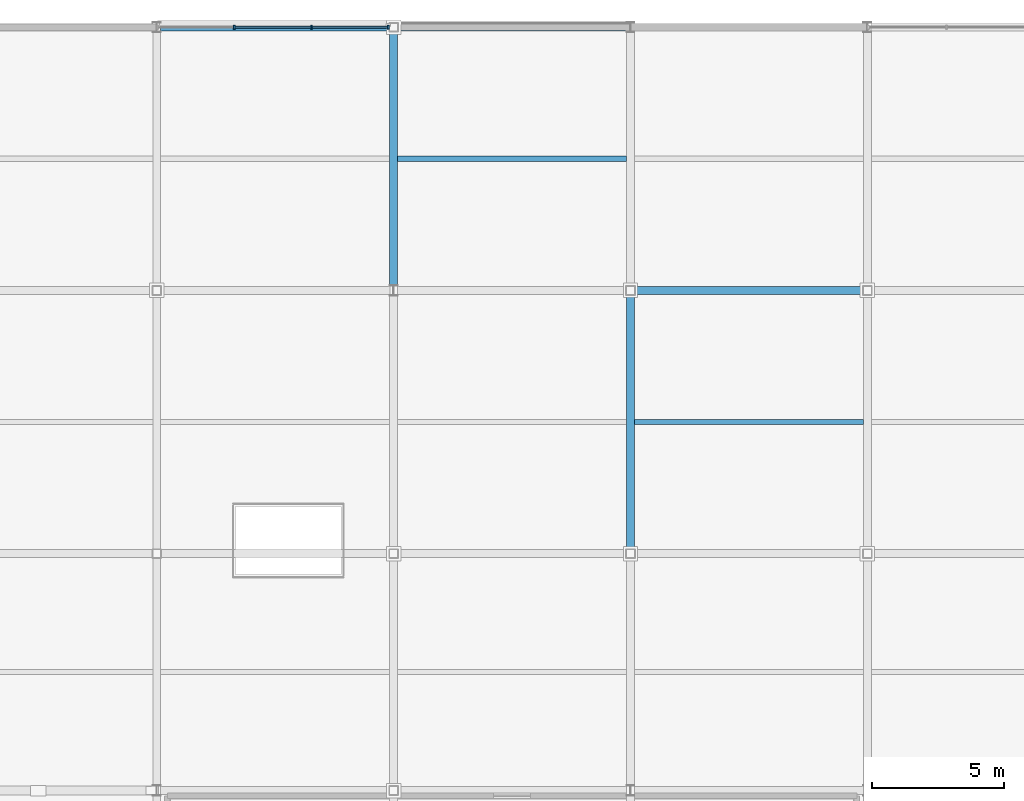
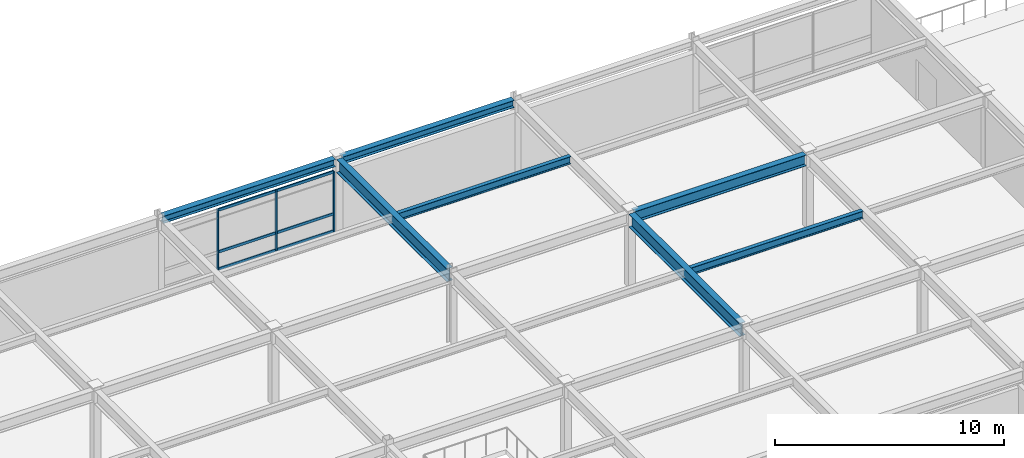
# One storey, part 24 of 40: 9 members, 7 beams, 1 element without a shape of its own.
"""IFC4 building model written with IfcOpenShell, lengths in metres."""

from ifc_helpers import new_model, si_unit, direction, frame, origin, origin_2d, place, context, subcontext, project, spatial, rectangle, i_section, extrude, material, material_profile, profile_set, type_object, element, aggregate, save


model = new_model("IFC4")

# Units and contexts
model_context = context("Model", 3, precision=1e-05, world=origin(), true_north=direction((0.0, 1.0)))
body_context = subcontext(model_context, "Body", "Model", "MODEL_VIEW")
ifc_project = project(units=[si_unit("LENGTHUNIT", "METRE"), si_unit("AREAUNIT", "SQUARE_METRE"), si_unit("VOLUMEUNIT", "CUBIC_METRE"), si_unit("PLANEANGLEUNIT", "RADIAN"), si_unit("MASSUNIT", "GRAM", prefix="KILO")], contexts=[model_context])

# Site, building, storey
site_placement = place(None, origin())
site = spatial("IfcSite", under=ifc_project, at=site_placement, CompositionType="ELEMENT")
building_placement = place(site_placement, origin())
building = spatial("IfcBuilding", under=site, at=building_placement, Name="Suzunagisa Mobility Hub", CompositionType="ELEMENT")
storey_placement = place(building_placement, frame((0.0, 0.0, 21.89990234375)))
storey = spatial("IfcBuildingStorey", under=building, at=storey_placement, Name="L05", CompositionType="ELEMENT", Elevation=21.89990234375)

# Curtain wall, members
ifc_material_1 = material(Name="Thermally Broken Anodized Aluminum and Low-E Glazing", Category="aluminium")
curtain_wall_type = type_object("IfcCurtainWallType", Name="Unitised Curtain Wall CW-13 8750x3200", PredefinedType="USERDEFINED", material=ifc_material_1)
curtain_wall_placement = place(storey_placement, origin())
curtain_wall = element("IfcCurtainWall", 1, at=curtain_wall_placement, inside=storey, type_object=curtain_wall_type, Name="L05 Unitised Curtain Wall CW-138", ObjectType="UNITISED CURTAIN WALL", PredefinedType="USERDEFINED")
ifc_material_2 = material(Name="Anodized Aluminum 6063-T6", Category="aluminium")
ifc_material_profile_1 = material_profile(ifc_material_2, rectangle(XDim=0.06494140625, YDim=0.139892578125, at=origin_2d()), Name="TRAN-65x140")
ifc_profile_set_1 = profile_set([ifc_material_profile_1], Name="Anodized Aluminum 6063-T6")
member_type_1 = type_object("IfcMemberType", Name="Curtain Wall Framing CM-01 TRAN-65x140", PredefinedType="USERDEFINED", material=ifc_profile_set_1)
member_1_placement = place(storey_placement, frame((71.76708984375, 118.0, 0.03271484375), z_axis=(-1.0, 0.0, 0.0), x_axis=(0.0, -1.0, 0.0)))
member_1 = element("IfcMember", 2, at=member_1_placement, type_object=member_type_1, Name="Curtain Wall Transom 138-T1.1", ObjectType="TRANSOM", PredefinedType="USERDEFINED", context=body_context, shape_type="SweptSolid", body=[
    extrude(rectangle(XDim=0.06494140625, YDim=0.139892578125, at=origin_2d()), origin(), (0.0, 0.0, 1.0), 2.854248046875),
])
member_2_placement = place(storey_placement, frame((71.76708984375, 118.0, 0.9501953125), z_axis=(-1.0, 0.0, 0.0), x_axis=(0.0, -1.0, 0.0)))
member_2 = element("IfcMember", 3, at=member_2_placement, type_object=member_type_1, Name="Curtain Wall Transom 138-T1.2", ObjectType="TRANSOM", PredefinedType="USERDEFINED", context=body_context, shape_type="SweptSolid", body=[
    extrude(rectangle(XDim=0.06494140625, YDim=0.139892578125, at=origin_2d()), origin(), (0.0, 0.0, 1.0), 2.854248046875),
])
member_3_placement = place(storey_placement, frame((71.76708984375, 118.0, 3.1875), z_axis=(-1.0, 0.0, 0.0), x_axis=(0.0, -1.0, 0.0)))
member_3 = element("IfcMember", 4, at=member_3_placement, type_object=member_type_1, Name="Curtain Wall Transom 138-T1.3", ObjectType="TRANSOM", PredefinedType="USERDEFINED", context=body_context, shape_type="SweptSolid", body=[
    extrude(rectangle(XDim=0.06494140625, YDim=0.139892578125, at=origin_2d()), origin(), (0.0, 0.0, 1.0), 2.854248046875),
])
member_4_placement = place(storey_placement, frame((68.856689453125, 118.0, 0.03271484375), z_axis=(-1.0, 0.0, 0.0), x_axis=(0.0, -1.0, 0.0)))
member_4 = element("IfcMember", 5, at=member_4_placement, type_object=member_type_1, Name="Curtain Wall Transom 138-T2.1", ObjectType="TRANSOM", PredefinedType="USERDEFINED", context=body_context, shape_type="SweptSolid", body=[
    extrude(rectangle(XDim=0.06494140625, YDim=0.139892578125, at=origin_2d()), origin(), (0.0, 0.0, 1.0), 2.884033203125),
])
member_5_placement = place(storey_placement, frame((68.856689453125, 118.0, 0.9501953125), z_axis=(-1.0, 0.0, 0.0), x_axis=(0.0, -1.0, 0.0)))
member_5 = element("IfcMember", 6, at=member_5_placement, type_object=member_type_1, Name="Curtain Wall Transom 138-T2.2", ObjectType="TRANSOM", PredefinedType="USERDEFINED", context=body_context, shape_type="SweptSolid", body=[
    extrude(rectangle(XDim=0.06494140625, YDim=0.139892578125, at=origin_2d()), origin(), (0.0, 0.0, 1.0), 2.884033203125),
])
member_6_placement = place(storey_placement, frame((68.856689453125, 118.0, 3.1875), z_axis=(-1.0, 0.0, 0.0), x_axis=(0.0, -1.0, 0.0)))
member_6 = element("IfcMember", 7, at=member_6_placement, type_object=member_type_1, Name="Curtain Wall Transom 138-T2.3", ObjectType="TRANSOM", PredefinedType="USERDEFINED", context=body_context, shape_type="SweptSolid", body=[
    extrude(rectangle(XDim=0.06494140625, YDim=0.139892578125, at=origin_2d()), origin(), (0.0, 0.0, 1.0), 2.884033203125),
])
ifc_material_profile_2 = material_profile(ifc_material_2, rectangle(XDim=0.06005859375, YDim=0.14990234375, at=origin_2d()), Name="MULL-60x150")
ifc_profile_set_2 = profile_set([ifc_material_profile_2], Name="Anodized Aluminum 6063-T6")
member_type_2 = type_object("IfcMemberType", Name="Curtain Wall Framing CM-03 MULL-60x150", PredefinedType="MULLION", material=ifc_profile_set_2)
member_7_placement = place(storey_placement, frame((71.794921875, 118.0, 0.0), z_axis=(0.0, 0.0, 1.0), x_axis=(-1.0, 0.0, 0.0)))
member_7 = element("IfcMember", 8, at=member_7_placement, type_object=member_type_2, Name="Curtain Wall Mullion 138-M1", PredefinedType="MULLION", context=body_context, shape_type="SweptSolid", body=[
    extrude(rectangle(XDim=0.06005859375, YDim=0.14990234375, at=origin_2d()), origin(), (0.0, 0.0, 1.0), 3.22021484375),
])
member_8_placement = place(storey_placement, frame((68.884765625, 118.0, 0.0), z_axis=(0.0, 0.0, 1.0), x_axis=(-1.0, 0.0, 0.0)))
member_8 = element("IfcMember", 9, at=member_8_placement, type_object=member_type_2, Name="Curtain Wall Mullion 138-M2", PredefinedType="MULLION", context=body_context, shape_type="SweptSolid", body=[
    extrude(rectangle(XDim=0.06005859375, YDim=0.14990234375, at=origin_2d()), origin(), (0.0, 0.0, 1.0), 3.22021484375),
])
member_9_placement = place(storey_placement, frame((65.944580078125, 118.0, 0.0), z_axis=(0.0, 0.0, 1.0), x_axis=(-1.0, 0.0, 0.0)))
member_9 = element("IfcMember", 10, at=member_9_placement, type_object=member_type_2, Name="Curtain Wall Mullion 138-M3", PredefinedType="MULLION", context=body_context, shape_type="SweptSolid", body=[
    extrude(rectangle(XDim=0.06005859375, YDim=0.14990234375, at=origin_2d()), origin(), (0.0, 0.0, 1.0), 3.22021484375),
])
aggregate(curtain_wall, [member_7, member_8, member_9, member_1, member_2, member_3, member_4, member_5, member_6])

# Beams
ifc_material_3 = material(Name="Steel SN490B", Category="steel")
ifc_material_profile_3 = material_profile(ifc_material_3, i_section(OverallWidth=0.300048828125, OverallDepth=0.699951171875, WebThickness=0.012939453125, FlangeThickness=0.02392578125, FilletRadius=0.01806640625, at=origin_2d()), Name="H-700x300x13x24")
ifc_profile_set_3 = profile_set([ifc_material_profile_3], Name="Steel SN490B")
beam_type_1 = type_object("IfcBeamType", Name="Steel Beam BM-11 H-700x300x13x24", PredefinedType="BEAM", material=ifc_profile_set_3)
beam_1_placement = place(storey_placement, frame((72.0, 108.19091796875, 3.570068359375), z_axis=(0.0, 1.0, 0.0), x_axis=(-1.0, 0.0, 0.0)))
element("IfcBeam", 11, at=beam_1_placement, inside=storey, type_object=beam_type_1, Name="L05 Primary Girder GY-1274", PredefinedType="BEAM", context=body_context, shape_type="SweptSolid", body=[
    extrude(i_section(OverallWidth=0.300048828125, OverallDepth=0.699951171875, WebThickness=0.012939453125, FlangeThickness=0.02392578125, FilletRadius=0.01806640625, at=origin_2d()), origin(), (0.0, 0.0, 1.0), 9.63818359375),
])
beam_2_placement = place(storey_placement, frame((81.0, 98.1708984375, 3.570068359375), z_axis=(0.0, 1.0, 0.0), x_axis=(-1.0, 0.0, 0.0)))
element("IfcBeam", 12, at=beam_2_placement, inside=storey, type_object=beam_type_1, Name="L05 Primary Girder GY-1277", PredefinedType="BEAM", context=body_context, shape_type="SweptSolid", body=[
    extrude(i_section(OverallWidth=0.300048828125, OverallDepth=0.699951171875, WebThickness=0.012939453125, FlangeThickness=0.02392578125, FilletRadius=0.01806640625, at=origin_2d()), origin(), (0.0, 0.0, 1.0), 9.658203125),
])
ifc_material_profile_4 = material_profile(ifc_material_3, i_section(OverallWidth=0.300048828125, OverallDepth=0.389892578125, WebThickness=0.010009765625, FlangeThickness=0.01611328125, FilletRadius=0.012939453125, at=origin_2d()), Name="H-390x300x10x16")
ifc_profile_set_4 = profile_set([ifc_material_profile_4], Name="Steel SN490B")
beam_type_2 = type_object("IfcBeamType", Name="Steel Beam BM-13 H-390x300x10x16", PredefinedType="SPANDREL", material=ifc_profile_set_4)
for number, where, z_axis, x_axis, name in (
    (13, (63.14599609375, 118.0, 3.72509765625), (1.0, 0.0, 0.0), (0.0, 1.0, 0.0), "L05 Primary Girder GX-1265"),
    (14, (72.1708984375, 118.0, 3.72509765625), (1.0, 0.0, 0.0), (0.0, 1.0, 0.0), "L05 Primary Girder GX-1266"),
):
    element("IfcBeam", number, at=place(storey_placement, frame(where, z_axis=z_axis, x_axis=x_axis)), inside=storey, type_object=beam_type_2, Name=name, PredefinedType="SPANDREL", context=body_context, shape_type="SweptSolid", body=[
        extrude(i_section(OverallWidth=0.300048828125, OverallDepth=0.389892578125, WebThickness=0.010009765625, FlangeThickness=0.01611328125, FilletRadius=0.012939453125, at=origin_2d()), origin(), (0.0, 0.0, 1.0), 8.68310546875),
    ])
ifc_material_4 = material(Name="Steel SN400B", Category="steel")
ifc_material_profile_5 = material_profile(ifc_material_4, i_section(OverallWidth=0.199951171875, OverallDepth=0.39990234375, WebThickness=0.008056640625, FlangeThickness=0.012939453125, FilletRadius=0.012939453125, at=origin_2d()), Name="H-400x200x8x13")
ifc_profile_set_5 = profile_set([ifc_material_profile_5], Name="Steel SN400B")
beam_type_3 = type_object("IfcBeamType", Name="Steel Beam BM-14 H-400x200x8x13", PredefinedType="JOIST", material=ifc_profile_set_5)
for number, where, z_axis, x_axis, name in (
    (15, (72.14990234375, 113.0, 3.72021484375), (1.0, 0.0, 0.0), (0.0, 1.0, 0.0), "L05 Composite Floor Joist J-1294"),
    (16, (81.14990234375, 103.0, 3.72021484375), (1.0, 0.0, 0.0), (0.0, 1.0, 0.0), "L05 Composite Floor Joist J-1297"),
):
    element("IfcBeam", number, at=place(storey_placement, frame(where, z_axis=z_axis, x_axis=x_axis)), inside=storey, type_object=beam_type_3, Name=name, PredefinedType="JOIST", context=body_context, shape_type="SweptSolid", body=[
        extrude(i_section(OverallWidth=0.199951171875, OverallDepth=0.39990234375, WebThickness=0.008056640625, FlangeThickness=0.012939453125, FilletRadius=0.012939453125, at=origin_2d()), origin(), (0.0, 0.0, 1.0), 8.7001953125),
    ])
ifc_material_profile_6 = material_profile(ifc_material_3, i_section(OverallWidth=0.300048828125, OverallDepth=0.587890625, WebThickness=0.011962890625, FlangeThickness=0.02001953125, FilletRadius=0.012939453125, at=origin_2d()), Name="H-588x300x12x20")
ifc_profile_set_6 = profile_set([ifc_material_profile_6], Name="Steel SN490B")
beam_type_4 = type_object("IfcBeamType", Name="Steel Beam BM-16 H-588x300x12x20", PredefinedType="BEAM", material=ifc_profile_set_6)
beam_3_placement = place(storey_placement, frame((81.1708984375, 108.0, 3.6259765625), z_axis=(1.0, 0.0, 0.0), x_axis=(0.0, 1.0, 0.0)))
element("IfcBeam", 17, at=beam_3_placement, inside=storey, type_object=beam_type_4, Name="L05 Primary Girder GX-1263", PredefinedType="BEAM", context=body_context, shape_type="SweptSolid", body=[
    extrude(i_section(OverallWidth=0.300048828125, OverallDepth=0.587890625, WebThickness=0.011962890625, FlangeThickness=0.02001953125, FilletRadius=0.012939453125, at=origin_2d()), origin(), (0.0, 0.0, 1.0), 8.658203125),
])

save(model, "model.ifc")
